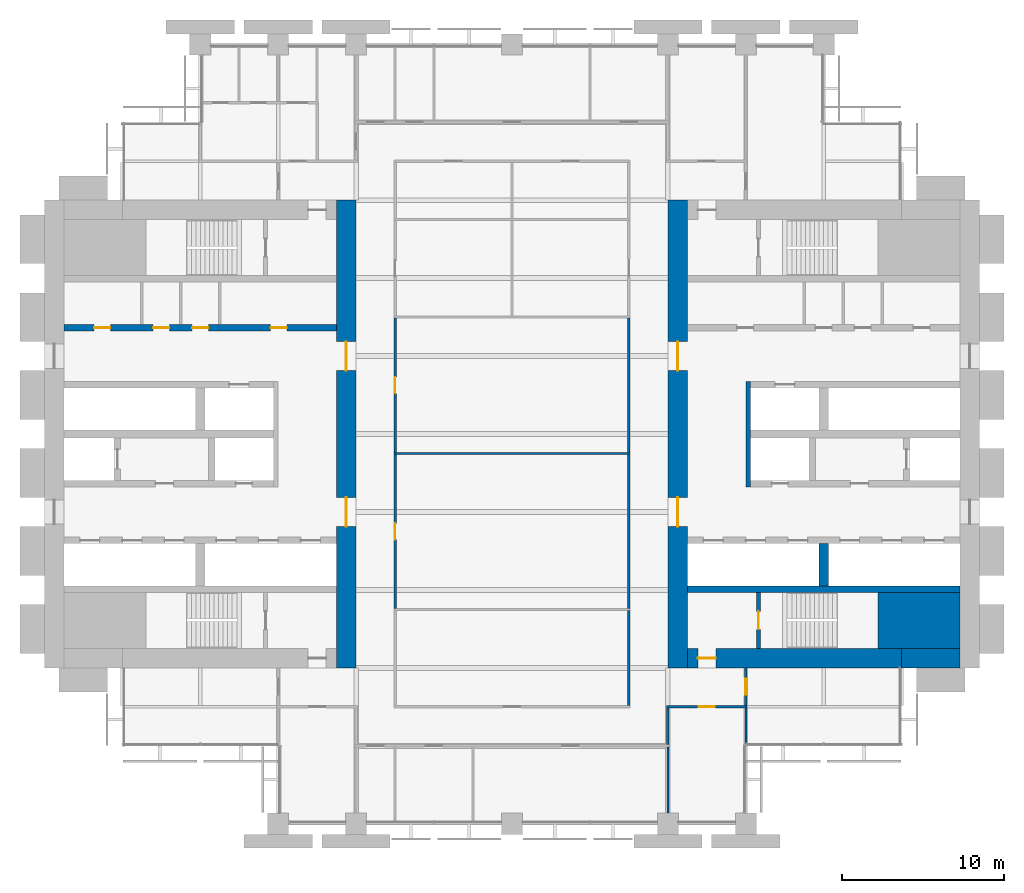
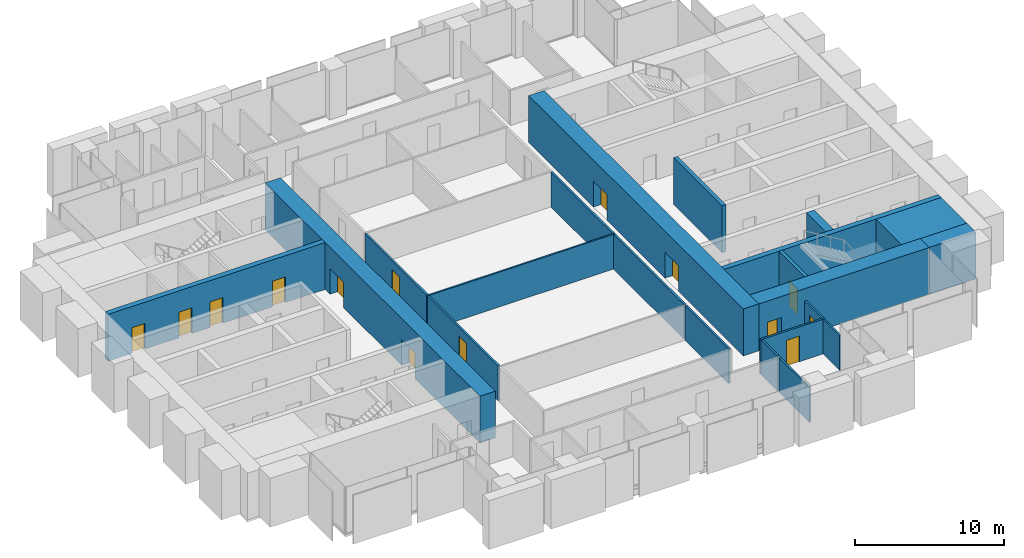
# One storey, part 10 of 14: 21 walls, 14 doors, 14 openings.
"""IFC4 building model written with IfcOpenShell, lengths in metres."""

from ifc_helpers import new_model, si_unit, direction, frame, frame_2d, origin, place, context, subcontext, project, spatial, rectangle, extrude, material, layer, layer_set, type_object, element, fill, save


model = new_model("IFC4")

# Units and contexts
model_context = context("Model", 3, precision=1e-05, world=origin(), true_north=direction((0.0, 1.0)))
body_context = subcontext(model_context, "Body", "Model", "MODEL_VIEW")
ifc_project = project(units=[si_unit("LENGTHUNIT", "METRE"), si_unit("AREAUNIT", "SQUARE_METRE"), si_unit("VOLUMEUNIT", "CUBIC_METRE"), si_unit("PLANEANGLEUNIT", "RADIAN"), si_unit("MASSUNIT", "GRAM", prefix="KILO")], contexts=[model_context])

# Site, building, storey
site_placement = place(None, origin())
site = spatial("IfcSite", under=ifc_project, at=site_placement, CompositionType="ELEMENT")
building_placement = place(site_placement, origin())
building = spatial("IfcBuilding", under=site, at=building_placement, Name="Baori Bourse Tower", CompositionType="ELEMENT")
storey_placement = place(building_placement, frame((0.0, 0.0, 67.0)))
storey = spatial("IfcBuildingStorey", under=building, at=storey_placement, Name="L14", CompositionType="ELEMENT", Elevation=67.0)

# Wall
ifc_material_1 = material(Name="Concrete f'c 70 MPa", Category="concrete")
wall_type_1 = type_object("IfcWallType", Name="Core corner block f'c 70", PredefinedType="SHEAR", material=ifc_material_1)
wall_1_placement = place(storey_placement, frame((51.35009765625, 12.52490234375, 0.0), z_axis=(0.0, 0.0, 1.0), x_axis=(1.0, 0.0, 0.0)))
element("IfcWall", 1, at=wall_1_placement, inside=storey, type_object=wall_type_1, Name="Core wall E05", PredefinedType="SHEAR", context=body_context, shape_type="SweptSolid", body=[
    extrude(rectangle(XDim=5.0498046875, YDim=3.449951171875, at=frame_2d((2.52490234375, 0.0))), origin(), (0.0, 0.0, 1.0), 3.840087890625),
])

# Wall, openings, doors
ifc_material_2 = material(Name="Concrete f'c 70 MPa", Category="concrete")
ifc_layer_1 = layer(ifc_material_2, 1.199951171875)
ifc_layer_set_1 = layer_set([ifc_layer_1], Name="Core wall 1200 f'c 70")
wall_type_2 = type_object("IfcWallType", Name="Core wall 1200 f'c 70", PredefinedType="SHEAR", material=ifc_layer_set_1)
wall_2_placement = place(storey_placement, frame((18.60009765625, 38.39990234375, 0.0), z_axis=(0.0, 0.0, 1.0), x_axis=(0.0, -1.0, 0.0)))
wall_2 = element("IfcWall", 2, at=wall_2_placement, inside=storey, type_object=wall_type_2, Name="Core wall W04", PredefinedType="SHEAR", context=body_context, shape_type="SweptSolid", body=[
    extrude(rectangle(XDim=28.7998046875, YDim=1.199951171875, at=frame_2d((14.39990234375, 0.0))), origin(), (0.0, 0.0, 1.0), 3.840087890625),
])
opening_1_placement = place(wall_2_placement, frame((18.300048828125, 0.0, 0.0)))
opening_1 = element("IfcOpeningElement", 3, at=opening_1_placement, cuts=wall_2, Name="Opening L14-D107", PredefinedType="OPENING", context=body_context, shape_type="SweptSolid", body=[
    extrude(rectangle(XDim=1.800048828125, YDim=2.10009765625, at=frame_2d((0.89990234375, 1.050048828125))), frame((0.0, 0.60986328125, 0.0), z_axis=(0.0, -1.0, 0.0), x_axis=(1.0, 0.0, 0.0)), (0.0, 0.0, 1.0), 1.219970703125),
])
opening_2_placement = place(wall_2_placement, frame((8.699951171875, 0.0, 0.0)))
opening_2 = element("IfcOpeningElement", 4, at=opening_2_placement, cuts=wall_2, Name="Opening L14-D108", PredefinedType="OPENING", context=body_context, shape_type="SweptSolid", body=[
    extrude(rectangle(XDim=1.800048828125, YDim=2.10009765625, at=frame_2d((0.89990234375, 1.050048828125))), frame((0.0, 0.60986328125, 0.0), z_axis=(0.0, -1.0, 0.0), x_axis=(1.0, 0.0, 0.0)), (0.0, 0.0, 1.0), 1.219970703125),
])
ifc_material_3 = material(Name="Painted steel door", Category="steel")
door_type_1 = type_object("IfcDoorType", Name="Core lobby door 1800", OperationType="DOUBLE_DOOR_SINGLE_SWING", PredefinedType="DOOR", material=ifc_material_3)
door_1_placement = place(opening_1_placement, origin())
door_1 = element("IfcDoor", 5, at=door_1_placement, inside=storey, type_object=door_type_1, Name="Lobby door W L14", OperationType="DOUBLE_DOOR_SINGLE_SWING", OverallHeight=2.10009765625, OverallWidth=1.800048828125, PredefinedType="DOOR", context=body_context, shape_type="SweptSolid", body=[
    extrude(rectangle(XDim=1.800048828125, YDim=2.10009765625, at=frame_2d((0.89990234375, 1.050048828125))), frame((0.0, 0.02490234375, 0.0), z_axis=(0.0, -1.0, 0.0), x_axis=(1.0, 0.0, 0.0)), (0.0, 0.0, 1.0), 0.050048828125),
])
fill(opening_1, door_1)
door_2_placement = place(opening_2_placement, origin())
door_2 = element("IfcDoor", 6, at=door_2_placement, inside=storey, type_object=door_type_1, Name="Lobby door W L14", OperationType="DOUBLE_DOOR_SINGLE_SWING", OverallHeight=2.10009765625, OverallWidth=1.800048828125, PredefinedType="DOOR", context=body_context, shape_type="SweptSolid", body=[
    extrude(rectangle(XDim=1.800048828125, YDim=2.10009765625, at=frame_2d((0.89990234375, 1.050048828125))), frame((0.0, 0.02490234375, 0.0), z_axis=(0.0, -1.0, 0.0), x_axis=(1.0, 0.0, 0.0)), (0.0, 0.0, 1.0), 0.050048828125),
])
fill(opening_2, door_2)

# Wall
wall_3_placement = place(storey_placement, frame((56.39990234375, 10.199951171875, 0.0), z_axis=(0.0, 0.0, 1.0), x_axis=(-1.0, 0.0, 0.0)))
element("IfcWall", 7, at=wall_3_placement, inside=storey, type_object=wall_type_2, Name="Core wall E02", PredefinedType="SHEAR", context=body_context, shape_type="SweptSolid", body=[
    extrude(rectangle(XDim=3.599853515625, YDim=1.199951171875, at=frame_2d((1.7998046875, 0.0))), origin(), (0.0, 0.0, 1.0), 3.840087890625),
])

# Wall, opening, door
wall_4_placement = place(storey_placement, frame((52.800048828125, 10.199951171875, 0.0), z_axis=(0.0, 0.0, 1.0), x_axis=(-1.0, 0.0, 0.0)))
wall_4 = element("IfcWall", 8, at=wall_4_placement, inside=storey, type_object=wall_type_2, Name="Core wall E03", PredefinedType="SHEAR", context=body_context, shape_type="SweptSolid", body=[
    extrude(rectangle(XDim=13.199951171875, YDim=1.199951171875, at=frame_2d((6.60009765625, 0.0))), origin(), (0.0, 0.0, 1.0), 3.840087890625),
])
opening_3_placement = place(wall_4_placement, frame((11.449951171875, 0.0, 0.0)))
opening_3 = element("IfcOpeningElement", 9, at=opening_3_placement, cuts=wall_4, Name="Opening L14-D202", PredefinedType="OPENING", context=body_context, shape_type="SweptSolid", body=[
    extrude(rectangle(XDim=1.10009765625, YDim=2.10009765625, at=frame_2d((0.550048828125, 1.050048828125))), frame((0.0, 0.60986328125, 0.0), z_axis=(0.0, -1.0, 0.0), x_axis=(1.0, 0.0, 0.0)), (0.0, 0.0, 1.0), 1.219970703125),
])
ifc_material_4 = material(Name="Painted steel door", Category="steel")
door_type_2 = type_object("IfcDoorType", Name="Stair door 1100", OperationType="SINGLE_SWING_LEFT", PredefinedType="DOOR", material=ifc_material_4)
door_3_placement = place(opening_3_placement, origin())
door_3 = element("IfcDoor", 10, at=door_3_placement, inside=storey, type_object=door_type_2, Name="Stair vestibule door A E L14", OperationType="SINGLE_SWING_LEFT", OverallHeight=2.10009765625, OverallWidth=1.10009765625, PredefinedType="DOOR", context=body_context, shape_type="SweptSolid", body=[
    extrude(rectangle(XDim=1.10009765625, YDim=2.10009765625, at=frame_2d((0.550048828125, 1.050048828125))), frame((0.0, 0.02490234375, 0.0), z_axis=(0.0, -1.0, 0.0), x_axis=(1.0, 0.0, 0.0)), (0.0, 0.0, 1.0), 0.050048828125),
])
fill(opening_3, door_3)

# Wall, openings, doors
wall_5_placement = place(storey_placement, frame((39.0, 9.60009765625, 0.0), z_axis=(0.0, 0.0, 1.0), x_axis=(0.0, 1.0, 0.0)))
wall_5 = element("IfcWall", 11, at=wall_5_placement, inside=storey, type_object=wall_type_2, Name="Core wall E04", PredefinedType="SHEAR", context=body_context, shape_type="SweptSolid", body=[
    extrude(rectangle(XDim=28.7998046875, YDim=1.199951171875, at=frame_2d((14.39990234375, 0.0))), origin(), (0.0, 0.0, 1.0), 3.840087890625),
])
opening_4_placement = place(wall_5_placement, frame((8.699951171875, 0.0, 0.0)))
opening_4 = element("IfcOpeningElement", 12, at=opening_4_placement, cuts=wall_5, Name="Opening L14-D207", PredefinedType="OPENING", context=body_context, shape_type="SweptSolid", body=[
    extrude(rectangle(XDim=1.800048828125, YDim=2.10009765625, at=frame_2d((0.89990234375, 1.050048828125))), frame((0.0, 0.60986328125, 0.0), z_axis=(0.0, -1.0, 0.0), x_axis=(1.0, 0.0, 0.0)), (0.0, 0.0, 1.0), 1.219970703125),
])
opening_5_placement = place(wall_5_placement, frame((18.300048828125, 0.0, 0.0)))
opening_5 = element("IfcOpeningElement", 13, at=opening_5_placement, cuts=wall_5, Name="Opening L14-D208", PredefinedType="OPENING", context=body_context, shape_type="SweptSolid", body=[
    extrude(rectangle(XDim=1.800048828125, YDim=2.10009765625, at=frame_2d((0.89990234375, 1.050048828125))), frame((0.0, 0.60986328125, 0.0), z_axis=(0.0, -1.0, 0.0), x_axis=(1.0, 0.0, 0.0)), (0.0, 0.0, 1.0), 1.219970703125),
])
door_4_placement = place(opening_4_placement, origin())
door_4 = element("IfcDoor", 14, at=door_4_placement, inside=storey, type_object=door_type_1, Name="Lobby door E L14", OperationType="DOUBLE_DOOR_SINGLE_SWING", OverallHeight=2.10009765625, OverallWidth=1.800048828125, PredefinedType="DOOR", context=body_context, shape_type="SweptSolid", body=[
    extrude(rectangle(XDim=1.800048828125, YDim=2.10009765625, at=frame_2d((0.89990234375, 1.050048828125))), frame((0.0, 0.02490234375, 0.0), z_axis=(0.0, -1.0, 0.0), x_axis=(1.0, 0.0, 0.0)), (0.0, 0.0, 1.0), 0.050048828125),
])
fill(opening_4, door_4)
door_5_placement = place(opening_5_placement, origin())
door_5 = element("IfcDoor", 15, at=door_5_placement, inside=storey, type_object=door_type_1, Name="Lobby door E L14", OperationType="DOUBLE_DOOR_SINGLE_SWING", OverallHeight=2.10009765625, OverallWidth=1.800048828125, PredefinedType="DOOR", context=body_context, shape_type="SweptSolid", body=[
    extrude(rectangle(XDim=1.800048828125, YDim=2.10009765625, at=frame_2d((0.89990234375, 1.050048828125))), frame((0.0, 0.02490234375, 0.0), z_axis=(0.0, -1.0, 0.0), x_axis=(1.0, 0.0, 0.0)), (0.0, 0.0, 1.0), 0.050048828125),
])
fill(opening_5, door_5)

# Wall, opening, door
ifc_material_5 = material(Name="Gypsum board partition")
ifc_layer_2 = layer(ifc_material_5, 0.14990234375)
ifc_layer_set_2 = layer_set([ifc_layer_2], Name="Corridor partition 150")
wall_type_3 = type_object("IfcWallType", Name="Corridor partition 150", PredefinedType="PARTITIONING", material=ifc_layer_set_2)
wall_6_placement = place(storey_placement, frame((38.324951171875, 7.199951171875, 0.0), z_axis=(0.0, 0.0, 1.0), x_axis=(1.0, 0.0, 0.0)))
wall_6 = element("IfcWall", 16, at=wall_6_placement, inside=storey, type_object=wall_type_3, Name="Partition", PredefinedType="PARTITIONING", context=body_context, shape_type="SweptSolid", body=[
    extrude(rectangle(XDim=4.949951171875, YDim=0.14990234375, at=frame_2d((2.47509765625, 0.0))), origin(), (0.0, 0.0, 1.0), 2.849365234375),
])
opening_6_placement = place(wall_6_placement, frame((1.97509765625, 0.0, 0.0)))
opening_6 = element("IfcOpeningElement", 17, at=opening_6_placement, cuts=wall_6, Name="Opening L14-D06", PredefinedType="OPENING", context=body_context, shape_type="SweptSolid", body=[
    extrude(rectangle(XDim=1.0, YDim=2.10009765625, at=frame_2d((0.5, 1.050048828125))), frame((0.0, 0.0849609375, 0.0), z_axis=(0.0, -1.0, 0.0), x_axis=(1.0, 0.0, 0.0)), (0.0, 0.0, 1.0), 0.169921875),
])
ifc_material_6 = material(Name="Timber door leaf", Category="wood")
door_type_3 = type_object("IfcDoorType", Name="Door 1000 x 2100", OperationType="SINGLE_SWING_LEFT", PredefinedType="DOOR", material=ifc_material_6)
door_6_placement = place(opening_6_placement, origin())
door_6 = element("IfcDoor", 18, at=door_6_placement, inside=storey, type_object=door_type_3, Name="Door", OperationType="SINGLE_SWING_LEFT", OverallHeight=2.10009765625, OverallWidth=1.0, PredefinedType="DOOR", context=body_context, shape_type="SweptSolid", body=[
    extrude(rectangle(XDim=1.0, YDim=2.10009765625, at=frame_2d((0.5, 1.050048828125))), frame((0.0, 0.02490234375, 0.0), z_axis=(0.0, -1.0, 0.0), x_axis=(1.0, 0.0, 0.0)), (0.0, 0.0, 1.0), 0.050048828125),
])
fill(opening_6, door_6)

wall_7_placement = place(storey_placement, frame((21.60009765625, 13.262451171875, 0.0), z_axis=(0.0, 0.0, 1.0), x_axis=(0.0, 1.0, 0.0)))
wall_7 = element("IfcWall", 19, at=wall_7_placement, inside=storey, type_object=wall_type_3, Name="Partition", PredefinedType="PARTITIONING", context=body_context, shape_type="SweptSolid", body=[
    extrude(rectangle(XDim=9.47509765625, YDim=0.14990234375, at=frame_2d((4.737548828125, 0.0))), origin(), (0.0, 0.0, 1.0), 2.849365234375),
])
opening_7_placement = place(wall_7_placement, frame((4.237548828125, 0.0, 0.0)))
opening_7 = element("IfcOpeningElement", 20, at=opening_7_placement, cuts=wall_7, Name="Opening L14-D21", PredefinedType="OPENING", context=body_context, shape_type="SweptSolid", body=[
    extrude(rectangle(XDim=1.0, YDim=2.10009765625, at=frame_2d((0.5, 1.050048828125))), frame((0.0, 0.0849609375, 0.0), z_axis=(0.0, -1.0, 0.0), x_axis=(1.0, 0.0, 0.0)), (0.0, 0.0, 1.0), 0.169921875),
])
door_7_placement = place(opening_7_placement, origin())
door_7 = element("IfcDoor", 21, at=door_7_placement, inside=storey, type_object=door_type_3, Name="Door", OperationType="SINGLE_SWING_LEFT", OverallHeight=2.10009765625, OverallWidth=1.0, PredefinedType="DOOR", context=body_context, shape_type="SweptSolid", body=[
    extrude(rectangle(XDim=1.0, YDim=2.10009765625, at=frame_2d((0.5, 1.050048828125))), frame((0.0, 0.02490234375, 0.0), z_axis=(0.0, -1.0, 0.0), x_axis=(1.0, 0.0, 0.0)), (0.0, 0.0, 1.0), 0.050048828125),
])
fill(opening_7, door_7)

wall_8_placement = place(storey_placement, frame((21.60009765625, 22.862548828125, 0.0), z_axis=(0.0, 0.0, 1.0), x_axis=(0.0, 1.0, 0.0)))
wall_8 = element("IfcWall", 22, at=wall_8_placement, inside=storey, type_object=wall_type_3, Name="Partition", PredefinedType="PARTITIONING", context=body_context, shape_type="SweptSolid", body=[
    extrude(rectangle(XDim=8.27490234375, YDim=0.14990234375, at=frame_2d((4.137451171875, 0.0))), origin(), (0.0, 0.0, 1.0), 2.849365234375),
])
opening_8_placement = place(wall_8_placement, frame((3.637451171875, 0.0, 0.0)))
opening_8 = element("IfcOpeningElement", 23, at=opening_8_placement, cuts=wall_8, Name="Opening L14-D22", PredefinedType="OPENING", context=body_context, shape_type="SweptSolid", body=[
    extrude(rectangle(XDim=1.0, YDim=2.10009765625, at=frame_2d((0.5, 1.050048828125))), frame((0.0, 0.0849609375, 0.0), z_axis=(0.0, -1.0, 0.0), x_axis=(1.0, 0.0, 0.0)), (0.0, 0.0, 1.0), 0.169921875),
])
door_8_placement = place(opening_8_placement, origin())
door_8 = element("IfcDoor", 24, at=door_8_placement, inside=storey, type_object=door_type_3, Name="Door", OperationType="SINGLE_SWING_LEFT", OverallHeight=2.10009765625, OverallWidth=1.0, PredefinedType="DOOR", context=body_context, shape_type="SweptSolid", body=[
    extrude(rectangle(XDim=1.0, YDim=2.10009765625, at=frame_2d((0.5, 1.050048828125))), frame((0.0, 0.02490234375, 0.0), z_axis=(0.0, -1.0, 0.0), x_axis=(1.0, 0.0, 0.0)), (0.0, 0.0, 1.0), 0.050048828125),
])
fill(opening_8, door_8)

# Walls
wall_9_placement = place(storey_placement, frame((36.0, 7.27490234375, 0.0), z_axis=(0.0, 0.0, 1.0), x_axis=(0.0, 1.0, 0.0)))
element("IfcWall", 25, at=wall_9_placement, inside=storey, type_object=wall_type_3, Name="Partition", PredefinedType="PARTITIONING", context=body_context, shape_type="SweptSolid", body=[
    extrude(rectangle(XDim=5.862548828125, YDim=0.14990234375, at=frame_2d((2.93115234375, 0.0))), origin(), (0.0, 0.0, 1.0), 2.849365234375),
])
wall_10_placement = place(storey_placement, frame((36.0, 13.262451171875, 0.0), z_axis=(0.0, 0.0, 1.0), x_axis=(0.0, 1.0, 0.0)))
element("IfcWall", 26, at=wall_10_placement, inside=storey, type_object=wall_type_3, Name="Partition", PredefinedType="PARTITIONING", context=body_context, shape_type="SweptSolid", body=[
    extrude(rectangle(XDim=9.47509765625, YDim=0.14990234375, at=frame_2d((4.737548828125, 0.0))), origin(), (0.0, 0.0, 1.0), 2.849365234375),
])
wall_11_placement = place(storey_placement, frame((36.0, 22.862548828125, 0.0), z_axis=(0.0, 0.0, 1.0), x_axis=(0.0, 1.0, 0.0)))
element("IfcWall", 27, at=wall_11_placement, inside=storey, type_object=wall_type_3, Name="Partition", PredefinedType="PARTITIONING", context=body_context, shape_type="SweptSolid", body=[
    extrude(rectangle(XDim=8.27490234375, YDim=0.14990234375, at=frame_2d((4.137451171875, 0.0))), origin(), (0.0, 0.0, 1.0), 2.849365234375),
])
wall_12_placement = place(storey_placement, frame((38.39990234375, 4.875, 0.0), z_axis=(0.0, 0.0, 1.0), x_axis=(0.0, 1.0, 0.0)))
element("IfcWall", 28, at=wall_12_placement, inside=storey, type_object=wall_type_3, Name="Partition", PredefinedType="PARTITIONING", context=body_context, shape_type="SweptSolid", body=[
    extrude(rectangle(XDim=2.25, YDim=0.14990234375, at=frame_2d((1.125, 0.0))), origin(), (0.0, 0.0, 1.0), 2.849365234375),
])

# Wall, opening, door
wall_13_placement = place(storey_placement, frame((43.199951171875, 7.27490234375, 0.0), z_axis=(0.0, 0.0, 1.0), x_axis=(0.0, 1.0, 0.0)))
wall_13 = element("IfcWall", 29, at=wall_13_placement, inside=storey, type_object=wall_type_3, Name="Partition", PredefinedType="PARTITIONING", context=body_context, shape_type="SweptSolid", body=[
    extrude(rectangle(XDim=2.3251953125, YDim=0.14990234375, at=frame_2d((1.16259765625, 0.0))), origin(), (0.0, 0.0, 1.0), 2.849365234375),
])
opening_9_placement = place(wall_13_placement, frame((0.66259765625, 0.0, 0.0)))
opening_9 = element("IfcOpeningElement", 30, at=opening_9_placement, cuts=wall_13, Name="Opening L14-D25", PredefinedType="OPENING", context=body_context, shape_type="SweptSolid", body=[
    extrude(rectangle(XDim=1.0, YDim=2.10009765625, at=frame_2d((0.5, 1.050048828125))), frame((0.0, 0.0849609375, 0.0), z_axis=(0.0, -1.0, 0.0), x_axis=(1.0, 0.0, 0.0)), (0.0, 0.0, 1.0), 0.169921875),
])
door_9_placement = place(opening_9_placement, origin())
door_9 = element("IfcDoor", 31, at=door_9_placement, inside=storey, type_object=door_type_3, Name="Door", OperationType="SINGLE_SWING_LEFT", OverallHeight=2.10009765625, OverallWidth=1.0, PredefinedType="DOOR", context=body_context, shape_type="SweptSolid", body=[
    extrude(rectangle(XDim=1.0, YDim=2.10009765625, at=frame_2d((0.5, 1.050048828125))), frame((0.0, 0.02490234375, 0.0), z_axis=(0.0, -1.0, 0.0), x_axis=(1.0, 0.0, 0.0)), (0.0, 0.0, 1.0), 0.050048828125),
])
fill(opening_9, door_9)

# Walls
ifc_material_7 = material(Name="Gypsum board partition")
ifc_layer_3 = layer(ifc_material_7, 0.125)
ifc_layer_set_3 = layer_set([ifc_layer_3], Name="Partition 125")
wall_type_4 = type_object("IfcWallType", Name="Partition 125", PredefinedType="PARTITIONING", material=ifc_layer_set_3)
wall_14_placement = place(storey_placement, frame((21.52490234375, 22.800048828125, 0.0), z_axis=(0.0, 0.0, 1.0), x_axis=(1.0, 0.0, 0.0)))
element("IfcWall", 32, at=wall_14_placement, inside=storey, type_object=wall_type_4, Name="Partition", PredefinedType="PARTITIONING", context=body_context, shape_type="SweptSolid", body=[
    extrude(rectangle(XDim=14.550048828125, YDim=0.125, at=frame_2d((7.27490234375, 0.0))), origin(), (0.0, 0.0, 1.0), 2.849365234375),
])
wall_15_placement = place(storey_placement, frame((38.39990234375, 0.64990234375, 0.0), z_axis=(0.0, 0.0, 1.0), x_axis=(0.0, 1.0, 0.0)))
element("IfcWall", 33, at=wall_15_placement, inside=storey, type_object=wall_type_4, Name="Partition", PredefinedType="PARTITIONING", context=body_context, shape_type="SweptSolid", body=[
    extrude(rectangle(XDim=4.0751953125, YDim=0.125, at=frame_2d((2.03759765625, 0.0))), origin(), (0.0, 0.0, 1.0), 2.849365234375),
])
wall_16_placement = place(storey_placement, frame((43.199951171875, 4.89990234375, 0.0), z_axis=(0.0, 0.0, 1.0), x_axis=(0.0, 1.0, 0.0)))
element("IfcWall", 34, at=wall_16_placement, inside=storey, type_object=wall_type_4, Name="Partition", PredefinedType="PARTITIONING", context=body_context, shape_type="SweptSolid", body=[
    extrude(rectangle(XDim=2.22509765625, YDim=0.125, at=frame_2d((1.112548828125, 0.0))), origin(), (0.0, 0.0, 1.0), 2.849365234375),
])

# Wall, opening, door
ifc_material_8 = material(Name="Concrete f'c 70 MPa", Category="concrete")
ifc_layer_4 = layer(ifc_material_8, 0.25)
ifc_layer_set_4 = layer_set([ifc_layer_4], Name="Shaft wall 250 f'c 70")
wall_type_5 = type_object("IfcWallType", Name="Shaft wall 250 f'c 70", PredefinedType="SHEAR", material=ifc_layer_set_4)
wall_17_placement = place(storey_placement, frame((43.97509765625, 10.800048828125, 0.0), z_axis=(0.0, 0.0, 1.0), x_axis=(0.0, 1.0, 0.0)))
wall_17 = element("IfcWall", 35, at=wall_17_placement, inside=storey, type_object=wall_type_5, Name="Core wall E06", PredefinedType="SHEAR", context=body_context, shape_type="SweptSolid", body=[
    extrude(rectangle(XDim=3.449951171875, YDim=0.25, at=frame_2d((1.72509765625, 0.0))), origin(), (0.0, 0.0, 1.0), 3.840087890625),
])
opening_10_placement = place(wall_17_placement, frame((1.175048828125, 0.0, 0.0)))
opening_10 = element("IfcOpeningElement", 36, at=opening_10_placement, cuts=wall_17, Name="Opening L14-D201", PredefinedType="OPENING", context=body_context, shape_type="SweptSolid", body=[
    extrude(rectangle(XDim=1.10009765625, YDim=2.10009765625, at=frame_2d((0.550048828125, 1.050048828125))), frame((0.0, 0.135009765625, 0.0), z_axis=(0.0, -1.0, 0.0), x_axis=(1.0, 0.0, 0.0)), (0.0, 0.0, 1.0), 0.27001953125),
])
door_10_placement = place(opening_10_placement, origin())
door_10 = element("IfcDoor", 37, at=door_10_placement, inside=storey, type_object=door_type_2, Name="Stair door A E L14", OperationType="SINGLE_SWING_LEFT", OverallHeight=2.10009765625, OverallWidth=1.10009765625, PredefinedType="DOOR", context=body_context, shape_type="SweptSolid", body=[
    extrude(rectangle(XDim=1.10009765625, YDim=2.10009765625, at=frame_2d((0.550048828125, 1.050048828125))), frame((0.0, 0.02490234375, 0.0), z_axis=(0.0, -1.0, 0.0), x_axis=(1.0, 0.0, 0.0)), (0.0, 0.0, 1.0), 0.050048828125),
])
fill(opening_10, door_10)

# Wall
ifc_material_9 = material(Name="Concrete f'c 70 MPa", Category="concrete")
ifc_layer_5 = layer(ifc_material_9, 0.300048828125)
ifc_layer_set_5 = layer_set([ifc_layer_5], Name="Shaft wall 300 f'c 70")
wall_type_6 = type_object("IfcWallType", Name="Shaft wall 300 f'c 70", PredefinedType="SHEAR", material=ifc_layer_set_5)
wall_18_placement = place(storey_placement, frame((43.35009765625, 20.75, 0.0), z_axis=(0.0, 0.0, 1.0), x_axis=(0.0, 1.0, 0.0)))
element("IfcWall", 38, at=wall_18_placement, inside=storey, type_object=wall_type_6, Name="Core wall E11", PredefinedType="SHEAR", context=body_context, shape_type="SweptSolid", body=[
    extrude(rectangle(XDim=6.5, YDim=0.300048828125, at=frame_2d((3.25, 0.0))), origin(), (0.0, 0.0, 1.0), 3.840087890625),
])

# Wall, openings, doors
ifc_material_10 = material(Name="Concrete f'c 70 MPa", Category="concrete")
ifc_layer_6 = layer(ifc_material_10, 0.39990234375)
ifc_layer_set_6 = layer_set([ifc_layer_6], Name="Shaft wall 400 f'c 70")
wall_type_7 = type_object("IfcWallType", Name="Shaft wall 400 f'c 70", PredefinedType="SHEAR", material=ifc_layer_set_6)
wall_19_placement = place(storey_placement, frame((1.199951171875, 30.550048828125, 0.0), z_axis=(0.0, 0.0, 1.0), x_axis=(1.0, 0.0, 0.0)))
wall_19 = element("IfcWall", 39, at=wall_19_placement, inside=storey, type_object=wall_type_7, Name="Core wall W17", PredefinedType="SHEAR", context=body_context, shape_type="SweptSolid", body=[
    extrude(rectangle(XDim=16.800048828125, YDim=0.39990234375, at=frame_2d((8.39990234375, 0.0))), origin(), (0.0, 0.0, 1.0), 3.840087890625),
])
opening_11_placement = place(wall_19_placement, frame((1.862548828125, 0.0, 0.0)))
opening_11 = element("IfcOpeningElement", 40, at=opening_11_placement, cuts=wall_19, Name="Opening L14-D109", PredefinedType="OPENING", context=body_context, shape_type="SweptSolid", body=[
    extrude(rectangle(XDim=1.0, YDim=2.10009765625, at=frame_2d((0.5, 1.050048828125))), frame((0.0, 0.2099609375, 0.0), z_axis=(0.0, -1.0, 0.0), x_axis=(1.0, 0.0, 0.0)), (0.0, 0.0, 1.0), 0.419921875),
])
opening_12_placement = place(wall_19_placement, frame((5.5, 0.0, 0.0)))
opening_12 = element("IfcOpeningElement", 41, at=opening_12_placement, cuts=wall_19, Name="Opening L14-D110", PredefinedType="OPENING", context=body_context, shape_type="SweptSolid", body=[
    extrude(rectangle(XDim=1.0, YDim=2.10009765625, at=frame_2d((0.5, 1.050048828125))), frame((0.0, 0.2099609375, 0.0), z_axis=(0.0, -1.0, 0.0), x_axis=(1.0, 0.0, 0.0)), (0.0, 0.0, 1.0), 0.419921875),
])
opening_13_placement = place(wall_19_placement, frame((7.89990234375, 0.0, 0.0)))
opening_13 = element("IfcOpeningElement", 42, at=opening_13_placement, cuts=wall_19, Name="Opening L14-D111", PredefinedType="OPENING", context=body_context, shape_type="SweptSolid", body=[
    extrude(rectangle(XDim=1.0, YDim=2.10009765625, at=frame_2d((0.5, 1.050048828125))), frame((0.0, 0.2099609375, 0.0), z_axis=(0.0, -1.0, 0.0), x_axis=(1.0, 0.0, 0.0)), (0.0, 0.0, 1.0), 0.419921875),
])
opening_14_placement = place(wall_19_placement, frame((12.737548828125, 0.0, 0.0)))
opening_14 = element("IfcOpeningElement", 43, at=opening_14_placement, cuts=wall_19, Name="Opening L14-D112", PredefinedType="OPENING", context=body_context, shape_type="SweptSolid", body=[
    extrude(rectangle(XDim=1.0, YDim=2.10009765625, at=frame_2d((0.5, 1.050048828125))), frame((0.0, 0.2099609375, 0.0), z_axis=(0.0, -1.0, 0.0), x_axis=(1.0, 0.0, 0.0)), (0.0, 0.0, 1.0), 0.419921875),
])
ifc_material_11 = material(Name="Painted steel door", Category="steel")
door_type_4 = type_object("IfcDoorType", Name="Core door 1000", OperationType="SINGLE_SWING_LEFT", PredefinedType="DOOR", material=ifc_material_11)
door_11_placement = place(opening_11_placement, origin())
door_11 = element("IfcDoor", 44, at=door_11_placement, inside=storey, type_object=door_type_4, Name="Women'S Wc door W L14", OperationType="SINGLE_SWING_LEFT", OverallHeight=2.10009765625, OverallWidth=1.0, PredefinedType="DOOR", context=body_context, shape_type="SweptSolid", body=[
    extrude(rectangle(XDim=1.0, YDim=2.10009765625, at=frame_2d((0.5, 1.050048828125))), frame((0.0, 0.02490234375, 0.0), z_axis=(0.0, -1.0, 0.0), x_axis=(1.0, 0.0, 0.0)), (0.0, 0.0, 1.0), 0.050048828125),
])
fill(opening_11, door_11)
door_12_placement = place(opening_12_placement, origin())
door_12 = element("IfcDoor", 45, at=door_12_placement, inside=storey, type_object=door_type_4, Name="Accessible Wc door W L14", OperationType="SINGLE_SWING_LEFT", OverallHeight=2.10009765625, OverallWidth=1.0, PredefinedType="DOOR", context=body_context, shape_type="SweptSolid", body=[
    extrude(rectangle(XDim=1.0, YDim=2.10009765625, at=frame_2d((0.5, 1.050048828125))), frame((0.0, 0.02490234375, 0.0), z_axis=(0.0, -1.0, 0.0), x_axis=(1.0, 0.0, 0.0)), (0.0, 0.0, 1.0), 0.050048828125),
])
fill(opening_12, door_12)
door_13_placement = place(opening_14_placement, origin())
door_13 = element("IfcDoor", 46, at=door_13_placement, inside=storey, type_object=door_type_4, Name="Men'S Wc door W L14", OperationType="SINGLE_SWING_LEFT", OverallHeight=2.10009765625, OverallWidth=1.0, PredefinedType="DOOR", context=body_context, shape_type="SweptSolid", body=[
    extrude(rectangle(XDim=1.0, YDim=2.10009765625, at=frame_2d((0.5, 1.050048828125))), frame((0.0, 0.02490234375, 0.0), z_axis=(0.0, -1.0, 0.0), x_axis=(1.0, 0.0, 0.0)), (0.0, 0.0, 1.0), 0.050048828125),
])
fill(opening_14, door_13)
ifc_material_12 = material(Name="Painted steel door", Category="steel")
door_type_5 = type_object("IfcDoorType", Name="Plant room door 1000", OperationType="SINGLE_SWING_LEFT", PredefinedType="DOOR", material=ifc_material_12)
door_14_placement = place(opening_13_placement, origin())
door_14 = element("IfcDoor", 47, at=door_14_placement, inside=storey, type_object=door_type_5, Name="Plumbing Equipment Room door W L14", OperationType="SINGLE_SWING_LEFT", OverallHeight=2.10009765625, OverallWidth=1.0, PredefinedType="DOOR", context=body_context, shape_type="SweptSolid", body=[
    extrude(rectangle(XDim=1.0, YDim=2.10009765625, at=frame_2d((0.5, 1.050048828125))), frame((0.0, 0.02490234375, 0.0), z_axis=(0.0, -1.0, 0.0), x_axis=(1.0, 0.0, 0.0)), (0.0, 0.0, 1.0), 0.050048828125),
])
fill(opening_13, door_14)

# Walls
wall_20_placement = place(storey_placement, frame((39.60009765625, 14.449951171875, 0.0), z_axis=(0.0, 0.0, 1.0), x_axis=(1.0, 0.0, 0.0)))
element("IfcWall", 48, at=wall_20_placement, inside=storey, type_object=wall_type_7, Name="Core wall E07", PredefinedType="SHEAR", context=body_context, shape_type="SweptSolid", body=[
    extrude(rectangle(XDim=16.7998046875, YDim=0.39990234375, at=frame_2d((8.39990234375, 0.0))), origin(), (0.0, 0.0, 1.0), 3.840087890625),
])
ifc_material_13 = material(Name="Concrete f'c 70 MPa", Category="concrete")
ifc_layer_7 = layer(ifc_material_13, 0.60009765625)
ifc_layer_set_7 = layer_set([ifc_layer_7], Name="Shaft wall 600 f'c 70")
wall_type_8 = type_object("IfcWallType", Name="Shaft wall 600 f'c 70", PredefinedType="SHEAR", material=ifc_layer_set_7)
wall_21_placement = place(storey_placement, frame((48.0, 14.64990234375, 0.0), z_axis=(0.0, 0.0, 1.0), x_axis=(0.0, 1.0, 0.0)))
element("IfcWall", 49, at=wall_21_placement, inside=storey, type_object=wall_type_8, Name="Core wall E08", PredefinedType="SHEAR", context=body_context, shape_type="SweptSolid", body=[
    extrude(rectangle(XDim=2.60009765625, YDim=0.60009765625, at=frame_2d((1.300048828125, 0.0))), origin(), (0.0, 0.0, 1.0), 3.840087890625),
])

save(model, "model.ifc")
